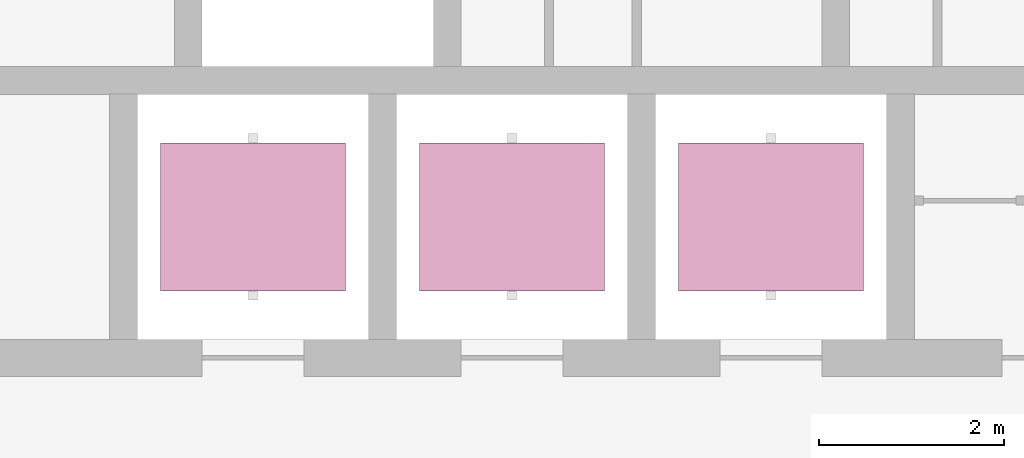
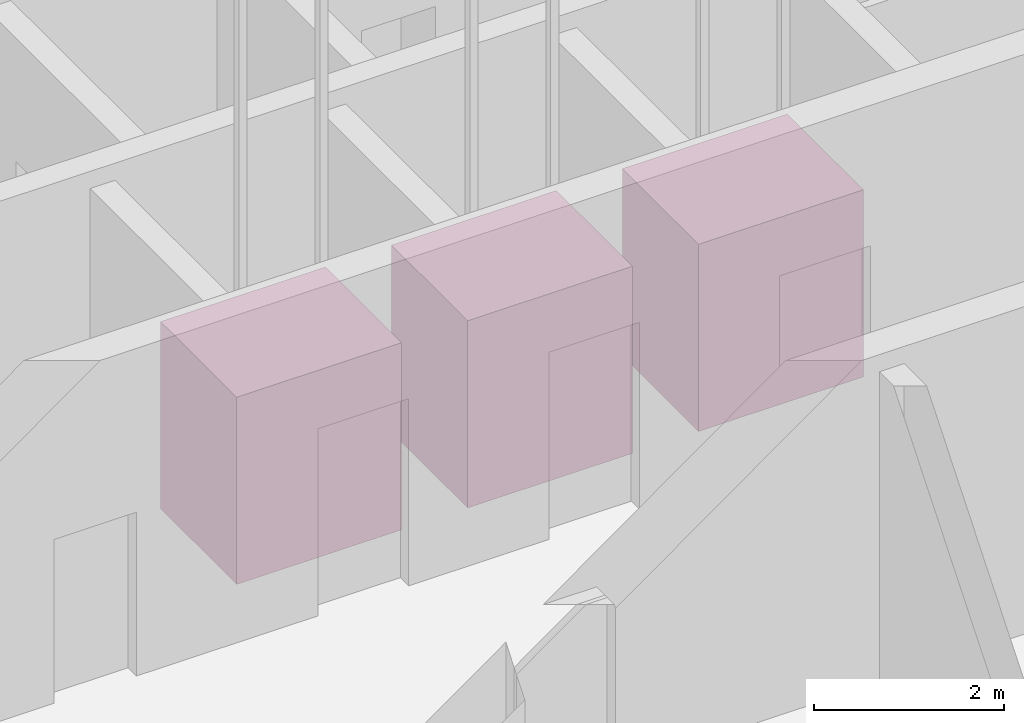
# One storey, part 14 of 20: 3 transport elements.
"""IFC4 building model written with IfcOpenShell, lengths in metres."""

from ifc_helpers import new_model, si_unit, direction, frame, origin, origin_2d, place, context, subcontext, project, spatial, rectangle, extrude, material, type_object, element, save


model = new_model("IFC4")

# Units and contexts
model_context = context("Model", 3, precision=1e-05, world=origin(), true_north=direction((0.0, 1.0)))
body_context = subcontext(model_context, "Body", "Model", "MODEL_VIEW")
ifc_project = project(units=[si_unit("LENGTHUNIT", "METRE"), si_unit("AREAUNIT", "SQUARE_METRE"), si_unit("VOLUMEUNIT", "CUBIC_METRE"), si_unit("PLANEANGLEUNIT", "RADIAN"), si_unit("MASSUNIT", "GRAM", prefix="KILO")], contexts=[model_context])

# Site, building, storey
site_placement = place(None, origin())
site = spatial("IfcSite", under=ifc_project, at=site_placement, CompositionType="ELEMENT")
building_placement = place(site_placement, origin())
building = spatial("IfcBuilding", under=site, at=building_placement, Name="Qingtian Harvest Tower", CompositionType="ELEMENT")
storey_placement = place(building_placement, frame((0.0, 0.0, 103.0)))
storey = spatial("IfcBuildingStorey", under=building, at=storey_placement, Name="L20", CompositionType="ELEMENT", Elevation=103.0)

# Transport elements
ifc_material = material(Name="Lift car, steel and glass", Category="steel")
transport_element_type = type_object("IfcTransportElementType", Name="Passenger lift", PredefinedType="ELEVATOR", material=ifc_material)
for number, where, z_axis, x_axis, name in (
    (1, (1.89990234375, 3.52490234375, 0.0), (0.0, 0.0, 1.0), (1.0, 0.0, 0.0), "Lift PLB1"),
    (2, (4.699951171875, 3.52490234375, 0.0), (0.0, 0.0, 1.0), (1.0, 0.0, 0.0), "Lift PLB2"),
    (3, (7.5, 3.52490234375, 0.0), (0.0, 0.0, 1.0), (1.0, 0.0, 0.0), "Lift PLB3"),
):
    element("IfcTransportElement", number, at=place(storey_placement, frame(where, z_axis=z_axis, x_axis=x_axis)), inside=storey, type_object=transport_element_type, Name=name, PredefinedType="ELEVATOR", context=body_context, shape_type="SweptSolid", body=[
        extrude(rectangle(XDim=2.0, YDim=1.60009765625, at=origin_2d()), origin(), (0.0, 0.0, 1.0), 2.39990234375),
    ])

save(model, "model.ifc")
